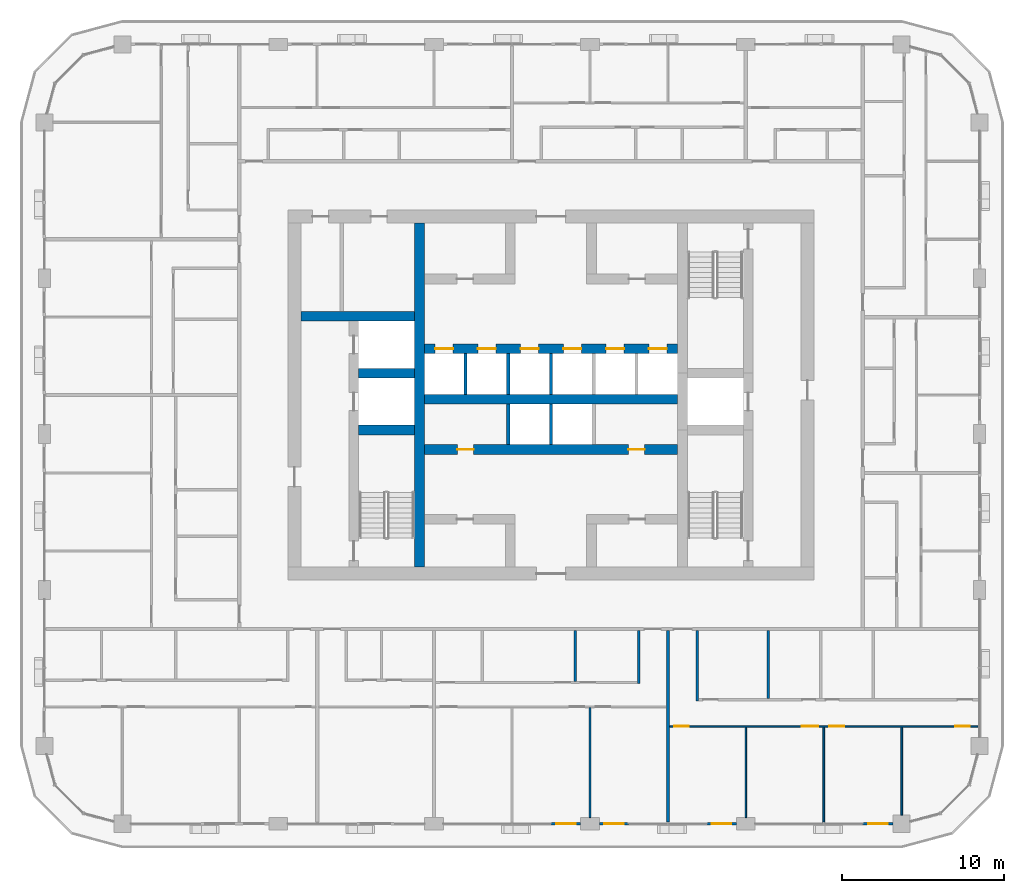
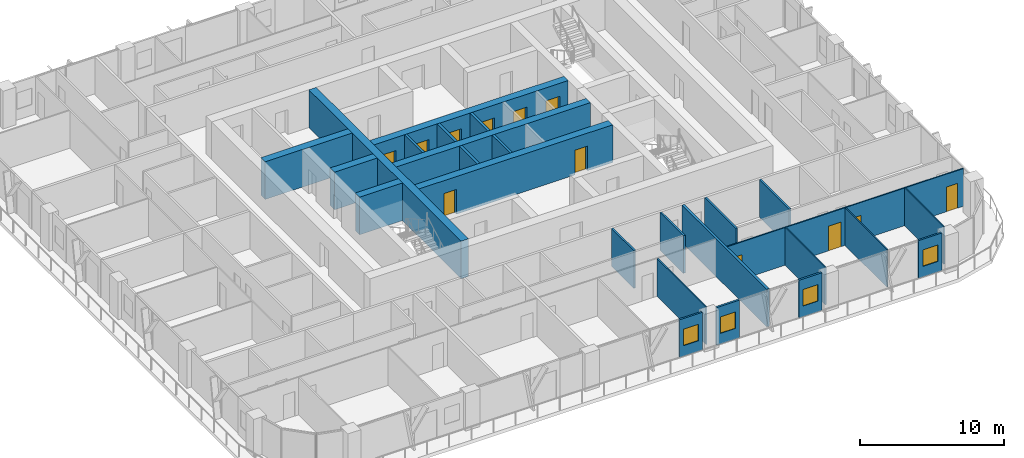
# One storey, part 11 of 22: 26 walls, 12 doors, 4 windows, 16 openings.
"""IFC4 building model written with IfcOpenShell, lengths in metres."""

from ifc_helpers import new_model, si_unit, direction, frame, frame_2d, origin, place, context, subcontext, project, spatial, rectangle, extrude, material, layer, layer_set, type_object, element, fill, save


model = new_model("IFC4")

# Units and contexts
model_context = context("Model", 3, precision=1e-05, world=origin(), true_north=direction((0.0, 1.0)))
body_context = subcontext(model_context, "Body", "Model", "MODEL_VIEW")
ifc_project = project(units=[si_unit("LENGTHUNIT", "METRE"), si_unit("AREAUNIT", "SQUARE_METRE"), si_unit("VOLUMEUNIT", "CUBIC_METRE"), si_unit("PLANEANGLEUNIT", "RADIAN"), si_unit("MASSUNIT", "GRAM", prefix="KILO")], contexts=[model_context])

# Site, building, storey
site_placement = place(None, origin())
site = spatial("IfcSite", under=ifc_project, at=site_placement, CompositionType="ELEMENT")
building_placement = place(site_placement, origin())
building = spatial("IfcBuilding", under=site, at=building_placement, Name="Madar Terraces", CompositionType="ELEMENT")
storey_placement = place(building_placement, frame((0.0, 0.0, 163.0)))
storey = spatial("IfcBuildingStorey", under=building, at=storey_placement, Name="L42", CompositionType="ELEMENT", Elevation=163.0)

# Walls
ifc_material_1 = material(Name="Concrete C70/85", Category="concrete")
ifc_layer_1 = layer(ifc_material_1, 0.60009765625)
ifc_layer_set_1 = layer_set([ifc_layer_1], Name="Concrete C70/85 (CIW3 RC wall 600)")
wall_type_1 = type_object("IfcWallType", Name="CIW3 RC wall 600", PredefinedType="SHEAR", material=ifc_layer_set_1)
wall_1_placement = place(storey_placement, frame((23.10009765625, 15.800048828125, 0.0), z_axis=(0.0, 0.0, 1.0), x_axis=(0.0, 1.0, 0.0)))
element("IfcWall", 1, at=wall_1_placement, inside=storey, type_object=wall_type_1, Name="CORE SHAFT WALL", PredefinedType="SHEAR", context=body_context, shape_type="SweptSolid", body=[
    extrude(rectangle(XDim=21.199951171875, YDim=0.60009765625, at=frame_2d((10.60009765625, 0.0))), origin(), (0.0, 0.0, 1.0), 3.199951171875),
])
for number, where, z_axis, x_axis, name in (
    (2, (19.35009765625, 24.25, 0.0), (0.0, 0.0, 1.0), (1.0, 0.0, 0.0), "CORE SHAFT WALL"),
    (3, (19.35009765625, 27.75, 0.0), (0.0, 0.0, 1.0), (1.0, 0.0, 0.0), "CORE SHAFT WALL"),
):
    element("IfcWall", number, at=place(storey_placement, frame(where, z_axis=z_axis, x_axis=x_axis)), inside=storey, type_object=wall_type_1, Name=name, PredefinedType="SHEAR", context=body_context, shape_type="SweptSolid", body=[
        extrude(rectangle(XDim=3.449951171875, YDim=0.60009765625, at=frame_2d((1.72509765625, 0.0))), origin(), (0.0, 0.0, 1.0), 3.199951171875),
    ])
wall_2_placement = place(storey_placement, frame((15.800048828125, 31.25, 0.0), z_axis=(0.0, 0.0, 1.0), x_axis=(1.0, 0.0, 0.0)))
element("IfcWall", 4, at=wall_2_placement, inside=storey, type_object=wall_type_1, Name="CORE SHAFT WALL", PredefinedType="SHEAR", context=body_context, shape_type="SweptSolid", body=[
    extrude(rectangle(XDim=7.0, YDim=0.60009765625, at=frame_2d((3.5, 0.0))), origin(), (0.0, 0.0, 1.0), 3.199951171875),
])

# Wall, openings, doors
wall_3_placement = place(storey_placement, frame((23.39990234375, 23.050048828125, 0.0), z_axis=(0.0, 0.0, 1.0), x_axis=(1.0, 0.0, 0.0)))
wall_3 = element("IfcWall", 5, at=wall_3_placement, inside=storey, type_object=wall_type_1, Name="CORE SHAFT WALL", PredefinedType="SHEAR", context=body_context, shape_type="SweptSolid", body=[
    extrude(rectangle(XDim=15.60009765625, YDim=0.60009765625, at=frame_2d((7.800048828125, 0.0))), origin(), (0.0, 0.0, 1.0), 3.199951171875),
])
opening_1_placement = place(wall_3_placement, frame((2.033447265625, 0.0, 0.0)))
opening_1 = element("IfcOpeningElement", 6, at=opening_1_placement, cuts=wall_3, Name="Opening KD2", PredefinedType="OPENING", context=body_context, shape_type="SweptSolid", body=[
    extrude(rectangle(XDim=1.0, YDim=2.10009765625, at=frame_2d((0.5, 1.050048828125))), frame((0.0, 0.31005859375, 0.0), z_axis=(0.0, -1.0, 0.0), x_axis=(1.0, 0.0, 0.0)), (0.0, 0.0, 1.0), 0.6201171875),
])
opening_2_placement = place(wall_3_placement, frame((12.566650390625, 0.0, 0.0)))
opening_2 = element("IfcOpeningElement", 7, at=opening_2_placement, cuts=wall_3, Name="Opening KD2", PredefinedType="OPENING", context=body_context, shape_type="SweptSolid", body=[
    extrude(rectangle(XDim=1.0, YDim=2.10009765625, at=frame_2d((0.5, 1.050048828125))), frame((0.0, 0.31005859375, 0.0), z_axis=(0.0, -1.0, 0.0), x_axis=(1.0, 0.0, 0.0)), (0.0, 0.0, 1.0), 0.6201171875),
])
ifc_material_2 = material(Name="Steel door leaf", Category="steel")
door_type_1 = type_object("IfcDoorType", Name="Service room door 1000 x 2100", OperationType="NOTDEFINED", PredefinedType="DOOR", material=ifc_material_2)
door_1_placement = place(opening_1_placement, frame((1.0, 0.0, 0.0), z_axis=(0.0, 0.0, 1.0), x_axis=(-1.0, 0.0, 0.0)))
door_1 = element("IfcDoor", 8, at=door_1_placement, inside=storey, type_object=door_type_1, Name="SERVICE ROOM DOOR", OperationType="SINGLE_SWING_LEFT", OverallHeight=2.10009765625, OverallWidth=1.0, PredefinedType="DOOR", context=body_context, shape_type="SweptSolid", body=[
    extrude(rectangle(XDim=1.0, YDim=2.10009765625, at=frame_2d((0.5, 1.050048828125))), frame((0.0, 0.02490234375, 0.0), z_axis=(0.0, -1.0, 0.0), x_axis=(1.0, 0.0, 0.0)), (0.0, 0.0, 1.0), 0.050048828125),
])
fill(opening_1, door_1)
door_2_placement = place(opening_2_placement, frame((1.0, 0.0, 0.0), z_axis=(0.0, 0.0, 1.0), x_axis=(-1.0, 0.0, 0.0)))
door_2 = element("IfcDoor", 9, at=door_2_placement, inside=storey, type_object=door_type_1, Name="SERVICE ROOM DOOR", OperationType="SINGLE_SWING_RIGHT", OverallHeight=2.10009765625, OverallWidth=1.0, PredefinedType="DOOR", context=body_context, shape_type="SweptSolid", body=[
    extrude(rectangle(XDim=1.0, YDim=2.10009765625, at=frame_2d((0.5, 1.050048828125))), frame((0.0, 0.02490234375, 0.0), z_axis=(0.0, -1.0, 0.0), x_axis=(1.0, 0.0, 0.0)), (0.0, 0.0, 1.0), 0.050048828125),
])
fill(opening_2, door_2)

# Wall
wall_4_placement = place(storey_placement, frame((23.39990234375, 26.14990234375, 0.0), z_axis=(0.0, 0.0, 1.0), x_axis=(1.0, 0.0, 0.0)))
element("IfcWall", 10, at=wall_4_placement, inside=storey, type_object=wall_type_1, Name="CORE SHAFT WALL", PredefinedType="SHEAR", context=body_context, shape_type="SweptSolid", body=[
    extrude(rectangle(XDim=15.60009765625, YDim=0.60009765625, at=frame_2d((7.800048828125, 0.0))), origin(), (0.0, 0.0, 1.0), 3.199951171875),
])

# Wall, openings, doors
wall_5_placement = place(storey_placement, frame((23.39990234375, 29.25, 0.0), z_axis=(0.0, 0.0, 1.0), x_axis=(1.0, 0.0, 0.0)))
wall_5 = element("IfcWall", 11, at=wall_5_placement, inside=storey, type_object=wall_type_1, Name="CORE SHAFT WALL", PredefinedType="SHEAR", context=body_context, shape_type="SweptSolid", body=[
    extrude(rectangle(XDim=15.60009765625, YDim=0.60009765625, at=frame_2d((7.800048828125, 0.0))), origin(), (0.0, 0.0, 1.0), 3.199951171875),
])
opening_3_placement = place(wall_5_placement, frame((0.666748046875, 0.0, 0.0)))
opening_3 = element("IfcOpeningElement", 12, at=opening_3_placement, cuts=wall_5, Name="Opening LD", PredefinedType="OPENING", context=body_context, shape_type="SweptSolid", body=[
    extrude(rectangle(XDim=1.10009765625, YDim=2.10009765625, at=frame_2d((0.550048828125, 1.050048828125))), frame((0.0, 0.31005859375, 0.0), z_axis=(0.0, -1.0, 0.0), x_axis=(1.0, 0.0, 0.0)), (0.0, 0.0, 1.0), 0.6201171875),
])
opening_4_placement = place(wall_5_placement, frame((3.300048828125, 0.0, 0.0)))
opening_4 = element("IfcOpeningElement", 13, at=opening_4_placement, cuts=wall_5, Name="Opening LD", PredefinedType="OPENING", context=body_context, shape_type="SweptSolid", body=[
    extrude(rectangle(XDim=1.10009765625, YDim=2.10009765625, at=frame_2d((0.550048828125, 1.050048828125))), frame((0.0, 0.31005859375, 0.0), z_axis=(0.0, -1.0, 0.0), x_axis=(1.0, 0.0, 0.0)), (0.0, 0.0, 1.0), 0.6201171875),
])
opening_5_placement = place(wall_5_placement, frame((5.933349609375, 0.0, 0.0)))
opening_5 = element("IfcOpeningElement", 14, at=opening_5_placement, cuts=wall_5, Name="Opening LD", PredefinedType="OPENING", context=body_context, shape_type="SweptSolid", body=[
    extrude(rectangle(XDim=1.10009765625, YDim=2.10009765625, at=frame_2d((0.550048828125, 1.050048828125))), frame((0.0, 0.31005859375, 0.0), z_axis=(0.0, -1.0, 0.0), x_axis=(1.0, 0.0, 0.0)), (0.0, 0.0, 1.0), 0.6201171875),
])
opening_6_placement = place(wall_5_placement, frame((8.566650390625, 0.0, 0.0)))
opening_6 = element("IfcOpeningElement", 15, at=opening_6_placement, cuts=wall_5, Name="Opening LD", PredefinedType="OPENING", context=body_context, shape_type="SweptSolid", body=[
    extrude(rectangle(XDim=1.10009765625, YDim=2.10009765625, at=frame_2d((0.550048828125, 1.050048828125))), frame((0.0, 0.31005859375, 0.0), z_axis=(0.0, -1.0, 0.0), x_axis=(1.0, 0.0, 0.0)), (0.0, 0.0, 1.0), 0.6201171875),
])
opening_7_placement = place(wall_5_placement, frame((11.199951171875, 0.0, 0.0)))
opening_7 = element("IfcOpeningElement", 16, at=opening_7_placement, cuts=wall_5, Name="Opening LD", PredefinedType="OPENING", context=body_context, shape_type="SweptSolid", body=[
    extrude(rectangle(XDim=1.10009765625, YDim=2.10009765625, at=frame_2d((0.550048828125, 1.050048828125))), frame((0.0, 0.31005859375, 0.0), z_axis=(0.0, -1.0, 0.0), x_axis=(1.0, 0.0, 0.0)), (0.0, 0.0, 1.0), 0.6201171875),
])
opening_8_placement = place(wall_5_placement, frame((13.833251953125, 0.0, 0.0)))
opening_8 = element("IfcOpeningElement", 17, at=opening_8_placement, cuts=wall_5, Name="Opening LD", PredefinedType="OPENING", context=body_context, shape_type="SweptSolid", body=[
    extrude(rectangle(XDim=1.10009765625, YDim=2.10009765625, at=frame_2d((0.550048828125, 1.050048828125))), frame((0.0, 0.31005859375, 0.0), z_axis=(0.0, -1.0, 0.0), x_axis=(1.0, 0.0, 0.0)), (0.0, 0.0, 1.0), 0.6201171875),
])
ifc_material_3 = material(Name="Stainless steel panel", Category="steel")
door_type_2 = type_object("IfcDoorType", Name="Lift landing door 1100 x 2100", OperationType="DOUBLE_DOOR_SLIDING", PredefinedType="DOOR", material=ifc_material_3)
door_3_placement = place(opening_3_placement, origin())
door_3 = element("IfcDoor", 18, at=door_3_placement, inside=storey, type_object=door_type_2, Name="LIFT LANDING DOOR", OperationType="DOUBLE_DOOR_SLIDING", OverallHeight=2.10009765625, OverallWidth=1.10009765625, PredefinedType="DOOR", context=body_context, shape_type="SweptSolid", body=[
    extrude(rectangle(XDim=1.10009765625, YDim=2.10009765625, at=frame_2d((0.550048828125, 1.050048828125))), frame((0.0, 0.02490234375, 0.0), z_axis=(0.0, -1.0, 0.0), x_axis=(1.0, 0.0, 0.0)), (0.0, 0.0, 1.0), 0.050048828125),
])
fill(opening_3, door_3)
door_4_placement = place(opening_4_placement, origin())
door_4 = element("IfcDoor", 19, at=door_4_placement, inside=storey, type_object=door_type_2, Name="LIFT LANDING DOOR", OperationType="DOUBLE_DOOR_SLIDING", OverallHeight=2.10009765625, OverallWidth=1.10009765625, PredefinedType="DOOR", context=body_context, shape_type="SweptSolid", body=[
    extrude(rectangle(XDim=1.10009765625, YDim=2.10009765625, at=frame_2d((0.550048828125, 1.050048828125))), frame((0.0, 0.02490234375, 0.0), z_axis=(0.0, -1.0, 0.0), x_axis=(1.0, 0.0, 0.0)), (0.0, 0.0, 1.0), 0.050048828125),
])
fill(opening_4, door_4)
door_5_placement = place(opening_5_placement, origin())
door_5 = element("IfcDoor", 20, at=door_5_placement, inside=storey, type_object=door_type_2, Name="LIFT LANDING DOOR", OperationType="DOUBLE_DOOR_SLIDING", OverallHeight=2.10009765625, OverallWidth=1.10009765625, PredefinedType="DOOR", context=body_context, shape_type="SweptSolid", body=[
    extrude(rectangle(XDim=1.10009765625, YDim=2.10009765625, at=frame_2d((0.550048828125, 1.050048828125))), frame((0.0, 0.02490234375, 0.0), z_axis=(0.0, -1.0, 0.0), x_axis=(1.0, 0.0, 0.0)), (0.0, 0.0, 1.0), 0.050048828125),
])
fill(opening_5, door_5)
door_6_placement = place(opening_6_placement, origin())
door_6 = element("IfcDoor", 21, at=door_6_placement, inside=storey, type_object=door_type_2, Name="LIFT LANDING DOOR", OperationType="DOUBLE_DOOR_SLIDING", OverallHeight=2.10009765625, OverallWidth=1.10009765625, PredefinedType="DOOR", context=body_context, shape_type="SweptSolid", body=[
    extrude(rectangle(XDim=1.10009765625, YDim=2.10009765625, at=frame_2d((0.550048828125, 1.050048828125))), frame((0.0, 0.02490234375, 0.0), z_axis=(0.0, -1.0, 0.0), x_axis=(1.0, 0.0, 0.0)), (0.0, 0.0, 1.0), 0.050048828125),
])
fill(opening_6, door_6)
door_7_placement = place(opening_7_placement, origin())
door_7 = element("IfcDoor", 22, at=door_7_placement, inside=storey, type_object=door_type_2, Name="LIFT LANDING DOOR", OperationType="DOUBLE_DOOR_SLIDING", OverallHeight=2.10009765625, OverallWidth=1.10009765625, PredefinedType="DOOR", context=body_context, shape_type="SweptSolid", body=[
    extrude(rectangle(XDim=1.10009765625, YDim=2.10009765625, at=frame_2d((0.550048828125, 1.050048828125))), frame((0.0, 0.02490234375, 0.0), z_axis=(0.0, -1.0, 0.0), x_axis=(1.0, 0.0, 0.0)), (0.0, 0.0, 1.0), 0.050048828125),
])
fill(opening_7, door_7)
door_8_placement = place(opening_8_placement, origin())
door_8 = element("IfcDoor", 23, at=door_8_placement, inside=storey, type_object=door_type_2, Name="LIFT LANDING DOOR", OperationType="DOUBLE_DOOR_SLIDING", OverallHeight=2.10009765625, OverallWidth=1.10009765625, PredefinedType="DOOR", context=body_context, shape_type="SweptSolid", body=[
    extrude(rectangle(XDim=1.10009765625, YDim=2.10009765625, at=frame_2d((0.550048828125, 1.050048828125))), frame((0.0, 0.02490234375, 0.0), z_axis=(0.0, -1.0, 0.0), x_axis=(1.0, 0.0, 0.0)), (0.0, 0.0, 1.0), 0.050048828125),
])
fill(opening_8, door_8)

# Walls
ifc_material_4 = material(Name="Concrete C40/50", Category="concrete")
ifc_layer_2 = layer(ifc_material_4, 0.199951171875)
ifc_layer_set_2 = layer_set([ifc_layer_2], Name="Core shaft dividing wall 200 C40/50")
wall_type_2 = type_object("IfcWallType", Name="Core shaft dividing wall 200 C40/50", PredefinedType="SOLIDWALL", material=ifc_layer_set_2)
for number, where, z_axis, x_axis, name in (
    (24, (25.933349609375, 26.449951171875, 0.0), (0.0, 0.0, 1.0), (0.0, 1.0, 0.0), "SHAFT DIVIDING WALL"),
    (25, (28.566650390625, 23.35009765625, 0.0), (0.0, 0.0, 1.0), (0.0, 1.0, 0.0), "SHAFT DIVIDING WALL"),
    (26, (28.566650390625, 26.449951171875, 0.0), (0.0, 0.0, 1.0), (0.0, 1.0, 0.0), "SHAFT DIVIDING WALL"),
    (27, (31.199951171875, 23.35009765625, 0.0), (0.0, 0.0, 1.0), (0.0, 1.0, 0.0), "SHAFT DIVIDING WALL"),
    (28, (31.199951171875, 26.449951171875, 0.0), (0.0, 0.0, 1.0), (0.0, 1.0, 0.0), "SHAFT DIVIDING WALL"),
):
    element("IfcWall", number, at=place(storey_placement, frame(where, z_axis=z_axis, x_axis=x_axis)), inside=storey, type_object=wall_type_2, Name=name, PredefinedType="SOLIDWALL", context=body_context, shape_type="SweptSolid", body=[
        extrude(rectangle(XDim=2.5, YDim=0.199951171875, at=frame_2d((1.25, 0.0))), origin(), (0.0, 0.0, 1.0), 3.199951171875),
    ])

# Wall, opening, window
ifc_material_5 = material(Name="Aluminium composite panel, black, over insulated backing", Category="aluminium")
ifc_layer_3 = layer(ifc_material_5, 0.14990234375)
ifc_layer_set_3 = layer_set([ifc_layer_3], Name="Facade bay panel 150")
wall_type_3 = type_object("IfcWallType", Name="Facade bay panel 150", PredefinedType="SOLIDWALL", material=ifc_layer_set_3)
wall_6_placement = place(storey_placement, frame((31.199951171875, 0.0, 0.0), z_axis=(0.0, 0.0, 1.0), x_axis=(1.0, 0.0, 0.0)))
wall_6 = element("IfcWall", 29, at=wall_6_placement, inside=storey, type_object=wall_type_3, Name="Facade bay panel", PredefinedType="SOLIDWALL", context=body_context, shape_type="SweptSolid", body=[
    extrude(rectangle(XDim=1.824951171875, YDim=0.14990234375, at=frame_2d((0.91259765625, 0.0))), origin(), (0.0, 0.0, 1.0), 3.199951171875),
])
opening_9_placement = place(wall_6_placement, frame((0.3125, 0.0, 0.89990234375)))
opening_9 = element("IfcOpeningElement", 30, at=opening_9_placement, cuts=wall_6, Name="Opening W1", PredefinedType="OPENING", context=body_context, shape_type="SweptSolid", body=[
    extrude(rectangle(XDim=1.199951171875, YDim=1.39990234375, at=frame_2d((0.60009765625, 0.699951171875))), frame((0.0, 0.0849609375, 0.0), z_axis=(0.0, -1.0, 0.0), x_axis=(1.0, 0.0, 0.0)), (0.0, 0.0, 1.0), 0.169921875),
])
ifc_material_6 = material(Name="Glass, clear, with black aluminium frame", Category="aluminium")
window_type = type_object("IfcWindowType", Name="Vent window 1200 x 1400", PartitioningType="SINGLE_PANEL", PredefinedType="WINDOW", material=ifc_material_6)
window_1_placement = place(opening_9_placement, origin())
window_1 = element("IfcWindow", 31, at=window_1_placement, inside=storey, type_object=window_type, Name="Operable vent window", OverallHeight=1.39990234375, OverallWidth=1.199951171875, PartitioningType="SINGLE_PANEL", PredefinedType="WINDOW", context=body_context, shape_type="SweptSolid", body=[
    extrude(rectangle(XDim=1.199951171875, YDim=1.39990234375, at=frame_2d((0.60009765625, 0.699951171875))), frame((0.0, 0.030029296875, 0.0), z_axis=(0.0, -1.0, 0.0), x_axis=(1.0, 0.0, 0.0)), (0.0, 0.0, 1.0), 0.06005859375),
])
fill(opening_9, window_1)

wall_7_placement = place(storey_placement, frame((34.175048828125, 0.0, 0.0), z_axis=(0.0, 0.0, 1.0), x_axis=(1.0, 0.0, 0.0)))
wall_7 = element("IfcWall", 32, at=wall_7_placement, inside=storey, type_object=wall_type_3, Name="Facade bay panel", PredefinedType="SOLIDWALL", context=body_context, shape_type="SweptSolid", body=[
    extrude(rectangle(XDim=1.824951171875, YDim=0.14990234375, at=frame_2d((0.91259765625, 0.0))), origin(), (0.0, 0.0, 1.0), 3.199951171875),
])
opening_10_placement = place(wall_7_placement, frame((0.3125, 0.0, 0.89990234375)))
opening_10 = element("IfcOpeningElement", 33, at=opening_10_placement, cuts=wall_7, Name="Opening W1", PredefinedType="OPENING", context=body_context, shape_type="SweptSolid", body=[
    extrude(rectangle(XDim=1.199951171875, YDim=1.39990234375, at=frame_2d((0.60009765625, 0.699951171875))), frame((0.0, 0.0849609375, 0.0), z_axis=(0.0, -1.0, 0.0), x_axis=(1.0, 0.0, 0.0)), (0.0, 0.0, 1.0), 0.169921875),
])
window_2_placement = place(opening_10_placement, origin())
window_2 = element("IfcWindow", 34, at=window_2_placement, inside=storey, type_object=window_type, Name="Operable vent window", OverallHeight=1.39990234375, OverallWidth=1.199951171875, PartitioningType="SINGLE_PANEL", PredefinedType="WINDOW", context=body_context, shape_type="SweptSolid", body=[
    extrude(rectangle(XDim=1.199951171875, YDim=1.39990234375, at=frame_2d((0.60009765625, 0.699951171875))), frame((0.0, 0.030029296875, 0.0), z_axis=(0.0, -1.0, 0.0), x_axis=(1.0, 0.0, 0.0)), (0.0, 0.0, 1.0), 0.06005859375),
])
fill(opening_10, window_2)

wall_8_placement = place(storey_placement, frame((40.800048828125, 0.0, 0.0), z_axis=(0.0, 0.0, 1.0), x_axis=(1.0, 0.0, 0.0)))
wall_8 = element("IfcWall", 35, at=wall_8_placement, inside=storey, type_object=wall_type_3, Name="Facade bay panel", PredefinedType="SOLIDWALL", context=body_context, shape_type="SweptSolid", body=[
    extrude(rectangle(XDim=1.824951171875, YDim=0.14990234375, at=frame_2d((0.91259765625, 0.0))), origin(), (0.0, 0.0, 1.0), 3.199951171875),
])
opening_11_placement = place(wall_8_placement, frame((0.3125, 0.0, 0.89990234375)))
opening_11 = element("IfcOpeningElement", 36, at=opening_11_placement, cuts=wall_8, Name="Opening W1", PredefinedType="OPENING", context=body_context, shape_type="SweptSolid", body=[
    extrude(rectangle(XDim=1.199951171875, YDim=1.39990234375, at=frame_2d((0.60009765625, 0.699951171875))), frame((0.0, 0.0849609375, 0.0), z_axis=(0.0, -1.0, 0.0), x_axis=(1.0, 0.0, 0.0)), (0.0, 0.0, 1.0), 0.169921875),
])
window_3_placement = place(opening_11_placement, origin())
window_3 = element("IfcWindow", 37, at=window_3_placement, inside=storey, type_object=window_type, Name="Operable vent window", OverallHeight=1.39990234375, OverallWidth=1.199951171875, PartitioningType="SINGLE_PANEL", PredefinedType="WINDOW", context=body_context, shape_type="SweptSolid", body=[
    extrude(rectangle(XDim=1.199951171875, YDim=1.39990234375, at=frame_2d((0.60009765625, 0.699951171875))), frame((0.0, 0.030029296875, 0.0), z_axis=(0.0, -1.0, 0.0), x_axis=(1.0, 0.0, 0.0)), (0.0, 0.0, 1.0), 0.06005859375),
])
fill(opening_11, window_3)

wall_9_placement = place(storey_placement, frame((50.39990234375, 0.0, 0.0), z_axis=(0.0, 0.0, 1.0), x_axis=(1.0, 0.0, 0.0)))
wall_9 = element("IfcWall", 38, at=wall_9_placement, inside=storey, type_object=wall_type_3, Name="Facade bay panel", PredefinedType="SOLIDWALL", context=body_context, shape_type="SweptSolid", body=[
    extrude(rectangle(XDim=1.875, YDim=0.14990234375, at=frame_2d((0.9375, 0.0))), origin(), (0.0, 0.0, 1.0), 3.199951171875),
])
opening_12_placement = place(wall_9_placement, frame((0.33740234375, 0.0, 0.89990234375)))
opening_12 = element("IfcOpeningElement", 39, at=opening_12_placement, cuts=wall_9, Name="Opening W1", PredefinedType="OPENING", context=body_context, shape_type="SweptSolid", body=[
    extrude(rectangle(XDim=1.199951171875, YDim=1.39990234375, at=frame_2d((0.60009765625, 0.699951171875))), frame((0.0, 0.0849609375, 0.0), z_axis=(0.0, -1.0, 0.0), x_axis=(1.0, 0.0, 0.0)), (0.0, 0.0, 1.0), 0.169921875),
])
window_4_placement = place(opening_12_placement, origin())
window_4 = element("IfcWindow", 40, at=window_4_placement, inside=storey, type_object=window_type, Name="Operable vent window", OverallHeight=1.39990234375, OverallWidth=1.199951171875, PartitioningType="SINGLE_PANEL", PredefinedType="WINDOW", context=body_context, shape_type="SweptSolid", body=[
    extrude(rectangle(XDim=1.199951171875, YDim=1.39990234375, at=frame_2d((0.60009765625, 0.699951171875))), frame((0.0, 0.030029296875, 0.0), z_axis=(0.0, -1.0, 0.0), x_axis=(1.0, 0.0, 0.0)), (0.0, 0.0, 1.0), 0.06005859375),
])
fill(opening_12, window_4)

# Walls
ifc_material_7 = material(Name="Gypsum board on steel studs", Category="steel")
ifc_layer_4 = layer(ifc_material_7, 0.10009765625)
ifc_layer_set_4 = layer_set([ifc_layer_4], Name="Flat partition 100")
wall_type_4 = type_object("IfcWallType", Name="Flat partition 100", PredefinedType="PARTITIONING", material=ifc_layer_set_4)
wall_10_placement = place(storey_placement, frame((33.60009765625, 7.14990234375, 0.0), z_axis=(0.0, 0.0, 1.0), x_axis=(0.0, -1.0, 0.0)))
element("IfcWall", 41, at=wall_10_placement, inside=storey, type_object=wall_type_4, Name="Flat partition 100", PredefinedType="PARTITIONING", context=body_context, shape_type="SweptSolid", body=[
    extrude(rectangle(XDim=6.77490234375, YDim=0.10009765625, at=frame_2d((3.387451171875, 0.0))), origin(), (0.0, 0.0, 1.0), 3.199951171875),
])
wall_11_placement = place(storey_placement, frame((43.199951171875, 5.949951171875, 0.0), z_axis=(0.0, 0.0, 1.0), x_axis=(0.0, -1.0, 0.0)))
element("IfcWall", 42, at=wall_11_placement, inside=storey, type_object=wall_type_4, Name="Flat partition 100", PredefinedType="PARTITIONING", context=body_context, shape_type="SweptSolid", body=[
    extrude(rectangle(XDim=5.574951171875, YDim=0.10009765625, at=frame_2d((2.78759765625, 0.0))), origin(), (0.0, 0.0, 1.0), 3.199951171875),
])
wall_12_placement = place(storey_placement, frame((48.0, 5.949951171875, 0.0), z_axis=(0.0, 0.0, 1.0), x_axis=(0.0, -1.0, 0.0)))
element("IfcWall", 43, at=wall_12_placement, inside=storey, type_object=wall_type_4, Name="Flat partition 100", PredefinedType="PARTITIONING", context=body_context, shape_type="SweptSolid", body=[
    extrude(rectangle(XDim=5.849853515625, YDim=0.10009765625, at=frame_2d((2.9248046875, 0.0))), origin(), (0.0, 0.0, 1.0), 3.199951171875),
])
wall_13_placement = place(storey_placement, frame((52.800048828125, 5.949951171875, 0.0), z_axis=(0.0, 0.0, 1.0), x_axis=(0.0, -1.0, 0.0)))
element("IfcWall", 44, at=wall_13_placement, inside=storey, type_object=wall_type_4, Name="Flat partition 100", PredefinedType="PARTITIONING", context=body_context, shape_type="SweptSolid", body=[
    extrude(rectangle(XDim=5.425048828125, YDim=0.10009765625, at=frame_2d((2.71240234375, 0.0))), origin(), (0.0, 0.0, 1.0), 3.199951171875),
])

# Wall, openings, doors
wall_14_placement = place(storey_placement, frame((57.5, 6.0, 0.0), z_axis=(0.0, 0.0, 1.0), x_axis=(-1.0, 0.0, 0.0)))
wall_14 = element("IfcWall", 45, at=wall_14_placement, inside=storey, type_object=wall_type_4, Name="Flat partition 100", PredefinedType="PARTITIONING", context=body_context, shape_type="SweptSolid", body=[
    extrude(rectangle(XDim=19.0, YDim=0.10009765625, at=frame_2d((9.5, 0.0))), origin(), (0.0, 0.0, 1.0), 3.199951171875),
])
opening_13_placement = place(wall_14_placement, frame((17.800048828125, 0.0, 0.0)))
opening_13 = element("IfcOpeningElement", 46, at=opening_13_placement, cuts=wall_14, Name="Opening D2", PredefinedType="OPENING", context=body_context, shape_type="SweptSolid", body=[
    extrude(rectangle(XDim=0.89990234375, YDim=2.10009765625, at=frame_2d((0.449951171875, 1.050048828125))), frame((0.0, 0.06005859375, 0.0), z_axis=(0.0, -1.0, 0.0), x_axis=(1.0, 0.0, 0.0)), (0.0, 0.0, 1.0), 0.1201171875),
])
opening_14_placement = place(wall_14_placement, frame((9.85009765625, 0.0, 0.0)))
opening_14 = element("IfcOpeningElement", 47, at=opening_14_placement, cuts=wall_14, Name="Opening D3", PredefinedType="OPENING", context=body_context, shape_type="SweptSolid", body=[
    extrude(rectangle(XDim=1.0, YDim=2.10009765625, at=frame_2d((0.5, 1.050048828125))), frame((0.0, 0.06005859375, 0.0), z_axis=(0.0, -1.0, 0.0), x_axis=(1.0, 0.0, 0.0)), (0.0, 0.0, 1.0), 0.1201171875),
])
opening_15_placement = place(wall_14_placement, frame((8.25, 0.0, 0.0)))
opening_15 = element("IfcOpeningElement", 48, at=opening_15_placement, cuts=wall_14, Name="Opening D2", PredefinedType="OPENING", context=body_context, shape_type="SweptSolid", body=[
    extrude(rectangle(XDim=0.89990234375, YDim=2.10009765625, at=frame_2d((0.449951171875, 1.050048828125))), frame((0.0, 0.06005859375, 0.0), z_axis=(0.0, -1.0, 0.0), x_axis=(1.0, 0.0, 0.0)), (0.0, 0.0, 1.0), 0.1201171875),
])
opening_16_placement = place(wall_14_placement, frame((0.5, 0.0, 0.0)))
opening_16 = element("IfcOpeningElement", 49, at=opening_16_placement, cuts=wall_14, Name="Opening D2", PredefinedType="OPENING", context=body_context, shape_type="SweptSolid", body=[
    extrude(rectangle(XDim=0.89990234375, YDim=2.10009765625, at=frame_2d((0.449951171875, 1.050048828125))), frame((0.0, 0.06005859375, 0.0), z_axis=(0.0, -1.0, 0.0), x_axis=(1.0, 0.0, 0.0)), (0.0, 0.0, 1.0), 0.1201171875),
])
ifc_material_8 = material(Name="Timber door leaf", Category="wood")
door_type_3 = type_object("IfcDoorType", Name="Flat living room door 1000", OperationType="NOTDEFINED", PredefinedType="DOOR", material=ifc_material_8)
door_9_placement = place(opening_14_placement, origin())
door_9 = element("IfcDoor", 50, at=door_9_placement, inside=storey, type_object=door_type_3, Name="Flat living room door 1000", OperationType="SINGLE_SWING_LEFT", OverallHeight=2.10009765625, OverallWidth=1.0, PredefinedType="DOOR", context=body_context, shape_type="SweptSolid", body=[
    extrude(rectangle(XDim=1.0, YDim=2.10009765625, at=frame_2d((0.5, 1.050048828125))), frame((0.0, 0.02490234375, 0.0), z_axis=(0.0, -1.0, 0.0), x_axis=(1.0, 0.0, 0.0)), (0.0, 0.0, 1.0), 0.050048828125),
])
fill(opening_14, door_9)
ifc_material_9 = material(Name="Timber door leaf", Category="wood")
door_type_4 = type_object("IfcDoorType", Name="Flat room door 900", OperationType="NOTDEFINED", PredefinedType="DOOR", material=ifc_material_9)
door_10_placement = place(opening_13_placement, origin())
door_10 = element("IfcDoor", 51, at=door_10_placement, inside=storey, type_object=door_type_4, Name="Flat room door 900", OperationType="SINGLE_SWING_RIGHT", OverallHeight=2.10009765625, OverallWidth=0.89990234375, PredefinedType="DOOR", context=body_context, shape_type="SweptSolid", body=[
    extrude(rectangle(XDim=0.89990234375, YDim=2.10009765625, at=frame_2d((0.449951171875, 1.050048828125))), frame((0.0, 0.02490234375, 0.0), z_axis=(0.0, -1.0, 0.0), x_axis=(1.0, 0.0, 0.0)), (0.0, 0.0, 1.0), 0.050048828125),
])
fill(opening_13, door_10)
door_11_placement = place(opening_15_placement, origin())
door_11 = element("IfcDoor", 52, at=door_11_placement, inside=storey, type_object=door_type_4, Name="Flat room door 900", OperationType="SINGLE_SWING_RIGHT", OverallHeight=2.10009765625, OverallWidth=0.89990234375, PredefinedType="DOOR", context=body_context, shape_type="SweptSolid", body=[
    extrude(rectangle(XDim=0.89990234375, YDim=2.10009765625, at=frame_2d((0.449951171875, 1.050048828125))), frame((0.0, 0.02490234375, 0.0), z_axis=(0.0, -1.0, 0.0), x_axis=(1.0, 0.0, 0.0)), (0.0, 0.0, 1.0), 0.050048828125),
])
fill(opening_15, door_11)
door_12_placement = place(opening_16_placement, origin())
door_12 = element("IfcDoor", 53, at=door_12_placement, inside=storey, type_object=door_type_4, Name="Flat room door 900", OperationType="SINGLE_SWING_LEFT", OverallHeight=2.10009765625, OverallWidth=0.89990234375, PredefinedType="DOOR", context=body_context, shape_type="SweptSolid", body=[
    extrude(rectangle(XDim=0.89990234375, YDim=2.10009765625, at=frame_2d((0.449951171875, 1.050048828125))), frame((0.0, 0.02490234375, 0.0), z_axis=(0.0, -1.0, 0.0), x_axis=(1.0, 0.0, 0.0)), (0.0, 0.0, 1.0), 0.050048828125),
])
fill(opening_16, door_12)

# Walls
ifc_material_10 = material(Name="Lightweight blockwork", Category="masonry")
ifc_layer_5 = layer(ifc_material_10, 0.199951171875)
ifc_layer_set_5 = layer_set([ifc_layer_5], Name="Flat party and entrance wall 200")
wall_type_5 = type_object("IfcWallType", Name="Flat party and entrance wall 200", PredefinedType="PARTITIONING", material=ifc_layer_set_5)
wall_15_placement = place(storey_placement, frame((38.39990234375, 11.89990234375, 0.0), z_axis=(0.0, 0.0, 1.0), x_axis=(0.0, -1.0, 0.0)))
element("IfcWall", 54, at=wall_15_placement, inside=storey, type_object=wall_type_5, Name="Flat party and entrance wall 200", PredefinedType="PARTITIONING", context=body_context, shape_type="SweptSolid", body=[
    extrude(rectangle(XDim=11.7998046875, YDim=0.199951171875, at=frame_2d((5.89990234375, 0.0))), origin(), (0.0, 0.0, 1.0), 3.199951171875),
])
ifc_material_11 = material(Name="Lightweight blockwork", Category="masonry")
ifc_layer_6 = layer(ifc_material_11, 0.14990234375)
ifc_layer_set_6 = layer_set([ifc_layer_6], Name="Flat wet-room partition 150")
wall_type_6 = type_object("IfcWallType", Name="Flat wet-room partition 150", PredefinedType="PARTITIONING", material=ifc_layer_set_6)
wall_16_placement = place(storey_placement, frame((32.701904296875, 11.89990234375, 0.0), z_axis=(0.0, 0.0, 1.0), x_axis=(0.0, -1.0, 0.0)))
element("IfcWall", 55, at=wall_16_placement, inside=storey, type_object=wall_type_6, Name="Flat wet-room partition 150", PredefinedType="PARTITIONING", context=body_context, shape_type="SweptSolid", body=[
    extrude(rectangle(XDim=3.125, YDim=0.14990234375, at=frame_2d((1.5625, 0.0))), origin(), (0.0, 0.0, 1.0), 3.199951171875),
])
wall_17_placement = place(storey_placement, frame((36.60009765625, 11.89990234375, 0.0), z_axis=(0.0, 0.0, 1.0), x_axis=(0.0, -1.0, 0.0)))
element("IfcWall", 56, at=wall_17_placement, inside=storey, type_object=wall_type_6, Name="Flat wet-room partition 150", PredefinedType="PARTITIONING", context=body_context, shape_type="SweptSolid", body=[
    extrude(rectangle(XDim=3.27490234375, YDim=0.14990234375, at=frame_2d((1.637451171875, 0.0))), origin(), (0.0, 0.0, 1.0), 3.199951171875),
])
wall_18_placement = place(storey_placement, frame((44.581298828125, 11.89990234375, 0.0), z_axis=(0.0, 0.0, 1.0), x_axis=(0.0, -1.0, 0.0)))
element("IfcWall", 57, at=wall_18_placement, inside=storey, type_object=wall_type_6, Name="Flat wet-room partition 150", PredefinedType="PARTITIONING", context=body_context, shape_type="SweptSolid", body=[
    extrude(rectangle(XDim=4.1748046875, YDim=0.14990234375, at=frame_2d((2.08740234375, 0.0))), origin(), (0.0, 0.0, 1.0), 3.199951171875),
])
wall_19_placement = place(storey_placement, frame((40.199951171875, 11.89990234375, 0.0), z_axis=(0.0, 0.0, 1.0), x_axis=(0.0, -1.0, 0.0)))
element("IfcWall", 58, at=wall_19_placement, inside=storey, type_object=wall_type_6, Name="Flat wet-room partition 150", PredefinedType="PARTITIONING", context=body_context, shape_type="SweptSolid", body=[
    extrude(rectangle(XDim=4.324951171875, YDim=0.14990234375, at=frame_2d((2.16259765625, 0.0))), origin(), (0.0, 0.0, 1.0), 3.199951171875),
])

save(model, "model.ifc")
